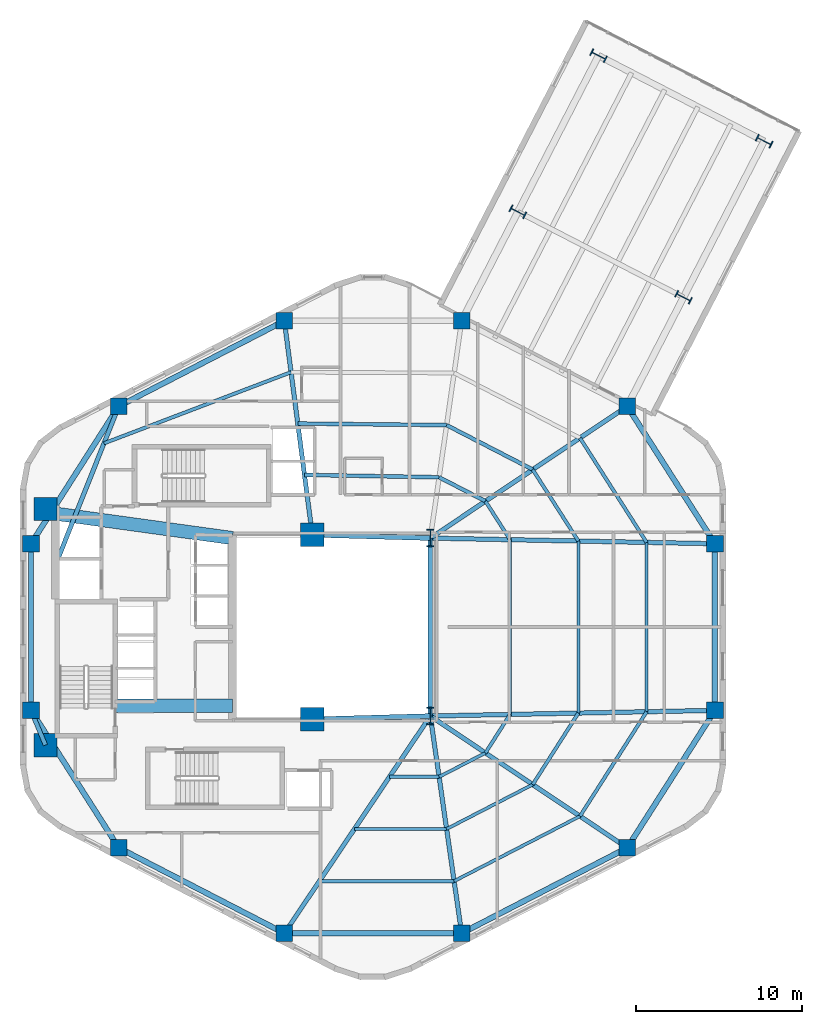
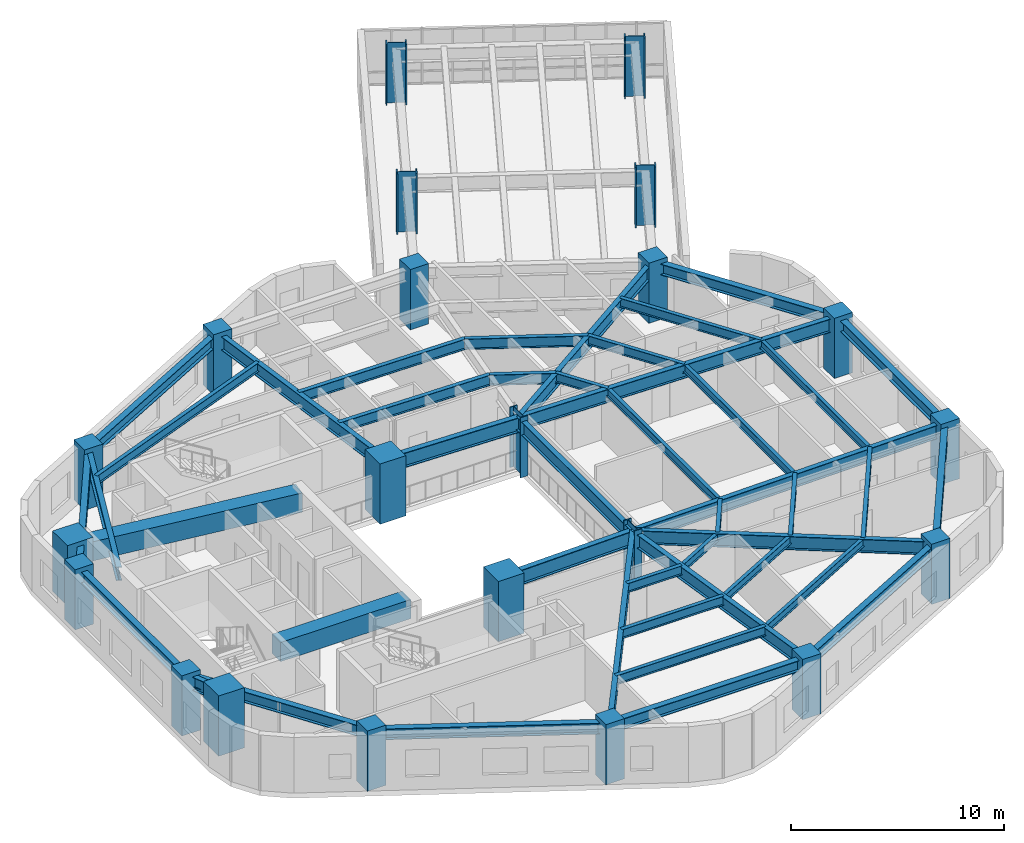
# One storey, part 1 of 11: 44 beams, 22 columns.
"""IFC4 building model written with IfcOpenShell, lengths in metres."""

import ifcopenshell
import ifcopenshell.guid

model = None  # the IFC model being written
_history = None  # IfcOwnerHistory: only IFC2X3 demands one
_inside = {}  # id of a spatial element -> (the spatial element, [elements in it])
_under = {}  # id of a project, library or spatial element -> (it, [spatial elements below it])
_declared = {}  # id of a project -> (the project, [libraries it declares])
_typed = {}  # id of a type object -> (the type object, [elements of that type])
_made_of = {}  # id of a material, layer set ... -> (it, [elements and type objects made of it])


def new_model(schema):
    """Start an empty IFC model of exactly this schema.

    Asked for "IFC4X3", IfcOpenShell would pick the latest addendum, in which some entities
    have other attributes; the version numbers below select the first issue.
    IFC2X3 requires an IfcOwnerHistory on every rooted entity: one is made here for all.
    """
    global model, _history
    if schema == "IFC4X3":
        model = ifcopenshell.file(schema_version=(4, 3, 0, 0))
    else:
        model = ifcopenshell.file(schema=schema)
    _inside.clear()
    _under.clear()
    _declared.clear()
    _typed.clear()
    _made_of.clear()
    _history = None
    if model.schema == "IFC2X3":
        org = make("IfcOrganization", Name="unknown")
        user = make(
            "IfcPersonAndOrganization",
            ThePerson=make("IfcPerson", FamilyName="unknown"),
            TheOrganization=org,
        )
        app = make(
            "IfcApplication",
            ApplicationDeveloper=org,
            Version="unknown",
            ApplicationFullName="unknown",
            ApplicationIdentifier="unknown",
        )
        _history = make(
            "IfcOwnerHistory",
            OwningUser=user,
            OwningApplication=app,
            ChangeAction="ADDED",
            CreationDate=0,
        )
    return model


def make(cls, **values):
    """One entity of the class cls with the attributes given. An attribute that is None is left unset."""
    return model.create_entity(
        cls, **{name: value for name, value in values.items() if value is not None}
    )


def rooted(cls, **values):
    """An entity with a GlobalId (a new one), such as an element, a storey or a relation."""
    return make(cls, GlobalId=ifcopenshell.guid.new(), OwnerHistory=_history, **values)


def si_unit(unit_type, name, prefix=None):
    """IfcSIUnit, for example si_unit("LENGTHUNIT", "METRE", prefix="MILLI")."""
    return make("IfcSIUnit", UnitType=unit_type, Prefix=prefix, Name=name)


def assignment(units):
    """IfcUnitAssignment: the units of a project."""
    return None if units is None else make("IfcUnitAssignment", Units=units)


def point(xyz):
    """IfcCartesianPoint."""
    return None if xyz is None else make("IfcCartesianPoint", Coordinates=xyz)


def direction(xyz):
    """IfcDirection."""
    return None if xyz is None else make("IfcDirection", DirectionRatios=xyz)


def frame(location, z_axis=None, x_axis=None):
    """IfcAxis2Placement3D, a coordinate frame: its origin and axes. An axis left out is left unset."""
    return make(
        "IfcAxis2Placement3D",
        Location=point(location),
        Axis=direction(z_axis),
        RefDirection=direction(x_axis),
    )


def frame_2d(location, x_axis=None):
    """IfcAxis2Placement2D, a coordinate frame in the plane: its origin and x axis."""
    return make(
        "IfcAxis2Placement2D", Location=point(location), RefDirection=direction(x_axis)
    )


def origin():
    """The frame at (0, 0, 0) with its axes left unset."""
    return frame((0.0, 0.0, 0.0))


def origin_2d():
    """The frame at (0, 0) in the plane with its x axis left unset."""
    return frame_2d((0.0, 0.0))


def place(relative_to, where):
    """IfcLocalPlacement: puts the frame where relative to a parent placement (None: the world)."""
    return make(
        "IfcLocalPlacement", PlacementRelTo=relative_to, RelativePlacement=where
    )


def context(
    kind, dimensions, precision=None, world=None, true_north=None, identifier=None
):
    """IfcGeometricRepresentationContext, for example the 3D "Model" context."""
    return make(
        "IfcGeometricRepresentationContext",
        ContextIdentifier=identifier,
        ContextType=kind,
        CoordinateSpaceDimension=dimensions,
        Precision=precision,
        WorldCoordinateSystem=world,
        TrueNorth=true_north,
    )


def subcontext(parent, identifier, kind, view, scale=None):
    """IfcGeometricRepresentationSubContext, for example "Body" below "Model"."""
    return make(
        "IfcGeometricRepresentationSubContext",
        ContextIdentifier=identifier,
        ContextType=kind,
        ParentContext=parent,
        TargetScale=scale,
        TargetView=view,
    )


def project(units=None, contexts=None):
    """IfcProject with its units and contexts."""
    return rooted(
        "IfcProject",
        Name="project",
        RepresentationContexts=contexts,
        UnitsInContext=assignment(units),
    )


def spatial(cls, under=None, at=None, **own):
    """A site, building, storey or space (cls), placed at a placement, below another one or the project."""
    s = rooted(cls, ObjectPlacement=at, **own)
    if under is not None:
        _under.setdefault(under.id(), (under, []))[1].append(s)
    return s


def profile(cls, at=None, kind="AREA", **sizes):
    """A parametric profile (cls). Its sizes go by their IFC names, for example OverallWidth=200.0."""
    return make(cls, ProfileType=kind, Position=at, **sizes)


def rectangle(**sizes):
    """IfcRectangleProfileDef."""
    return profile("IfcRectangleProfileDef", **sizes)


def i_section(**sizes):
    """IfcIShapeProfileDef."""
    return profile("IfcIShapeProfileDef", **sizes)


def extrude(swept, where, along, depth):
    """IfcExtrudedAreaSolid: the profile swept, set in the frame where, extruded along a direction by depth."""
    return make(
        "IfcExtrudedAreaSolid",
        SweptArea=swept,
        Position=where,
        ExtrudedDirection=direction(along),
        Depth=depth,
    )


def shape(context_of_items, identifier, shape_type, items):
    """IfcShapeRepresentation: the items that make up one representation, for example the "Body"."""
    return make(
        "IfcShapeRepresentation",
        ContextOfItems=context_of_items,
        RepresentationIdentifier=identifier,
        RepresentationType=shape_type,
        Items=items,
    )


def material(Name=None, Category=None):
    """IfcMaterial."""
    return make("IfcMaterial", Name=Name, Category=Category)


def material_profile(
    of_material, cross_section, Name=None, Category=None, Priority=None
):
    """IfcMaterialProfile: a cross section and its material."""
    return make(
        "IfcMaterialProfile",
        Name=Name,
        Material=of_material,
        Profile=cross_section,
        Priority=Priority,
        Category=Category,
    )


def profile_set(profiles, Name=None, composite=None):
    """IfcMaterialProfileSet."""
    return make(
        "IfcMaterialProfileSet",
        Name=Name,
        MaterialProfiles=profiles,
        CompositeProfile=composite,
    )


def made_of(thing, what):
    """Note that an element or type object is made of a material, layer set ...; save() writes the relation."""
    if what is not None:
        _made_of.setdefault(what.id(), (what, []))[1].append(thing)
    return thing


def type_object(cls, material=None, **own):
    """A type object (cls), such as IfcWallType, which elements share."""
    return made_of(rooted(cls, **own), material)


def element(
    cls,
    number,
    at=None,
    inside=None,
    cuts=None,
    type_object=None,
    material=None,
    context=None,
    identifier="Body",
    shape_type=None,
    held_by="IfcProductDefinitionShape",
    body=None,
    shapes=None,
    **own,
):
    """One element of the class cls, such as IfcWall. Its Tag is "e" and its number.

    at: its placement. inside: the storey or other place that contains it. cuts: it is an
    opening in that element (IfcRelVoidsElement). A single representation is given by context,
    identifier, shape_type and body (its items); several are given by shapes. held_by: the class
    of the entity that holds the representations. save() writes the other relations.
    """
    e = rooted(cls, Tag="e%d" % number, ObjectPlacement=at, **own)
    if body is not None:
        shapes = [shape(context, identifier, shape_type, body)]
    if shapes is not None:
        e.Representation = make(held_by, Representations=shapes)
    if inside is not None:
        _inside.setdefault(inside.id(), (inside, []))[1].append(e)
    if cuts is not None:
        rooted(
            "IfcRelVoidsElement", RelatingBuildingElement=cuts, RelatedOpeningElement=e
        )
    if type_object is not None:
        _typed.setdefault(type_object.id(), (type_object, []))[1].append(e)
    return made_of(e, material)


def aggregate(whole, parts):
    """IfcRelAggregates: a whole, such as a stair, and the parts it consists of."""
    return rooted("IfcRelAggregates", RelatingObject=whole, RelatedObjects=parts)


def save(model, path):
    """Write the relations noted so far, then the file.

    IfcRelAggregates (storeys below a building ...), IfcRelContainedInSpatialStructure (elements
    in a storey), IfcRelDefinesByType, IfcRelAssociatesMaterial and IfcRelDeclares: one each for
    every whole, place, type object, material and project.
    """
    for whole, parts in _under.values():
        aggregate(whole, parts)
    for where, things in _inside.values():
        rooted(
            "IfcRelContainedInSpatialStructure",
            RelatedElements=things,
            RelatingStructure=where,
        )
    for kind, things in _typed.values():
        rooted("IfcRelDefinesByType", RelatedObjects=things, RelatingType=kind)
    for what, things in _made_of.values():
        rooted("IfcRelAssociatesMaterial", RelatedObjects=things, RelatingMaterial=what)
    for by, libraries in _declared.values():
        rooted("IfcRelDeclares", RelatingContext=by, RelatedDefinitions=libraries)
    model.write(path)


model = new_model("IFC4")

# Units and contexts
model_context = context("Model", 3, precision=1e-05, world=origin(), true_north=direction((0.0, 1.0)))
body_context = subcontext(model_context, "Body", "Model", "MODEL_VIEW")
ifc_project = project(units=[si_unit("LENGTHUNIT", "METRE"), si_unit("AREAUNIT", "SQUARE_METRE"), si_unit("VOLUMEUNIT", "CUBIC_METRE"), si_unit("PLANEANGLEUNIT", "RADIAN"), si_unit("MASSUNIT", "GRAM", prefix="KILO"), si_unit("THERMODYNAMICTEMPERATUREUNIT", "KELVIN"), si_unit("POWERUNIT", "WATT")], contexts=[model_context])

# Site, building, storey
site_placement = place(None, origin())
site = spatial("IfcSite", under=ifc_project, at=site_placement, CompositionType="ELEMENT")
building_placement = place(site_placement, origin())
building = spatial("IfcBuilding", under=site, at=building_placement, Name="Skarre Station Tower", CompositionType="ELEMENT")
storey_placement = place(building_placement, frame((0.0, 0.0, 118.800048828125)))
storey = spatial("IfcBuildingStorey", under=building, at=storey_placement, Name="L31", CompositionType="ELEMENT", Elevation=118.800048828125)

# Columns
ifc_material_1 = material(Name="Concrete C60/75", Category="concrete")
ifc_material_profile_1 = material_profile(ifc_material_1, rectangle(XDim=1.0, YDim=1.0, at=origin_2d()), Name="Concrete C60/75")
ifc_profile_set_1 = profile_set([ifc_material_profile_1], Name="Concrete C60/75")
column_type_1 = type_object("IfcColumnType", Name="RC Structural Column RC-COL-1000X1000", PredefinedType="COLUMN", material=ifc_profile_set_1)
for number, where, z_axis, x_axis, name in (
    (1, (51.291015625, 37.277099609375, 0.0), (0.0, 0.0, 1.0), (1.0, 0.0, 0.0), "L31 Zone 2 Perimeter Column F0C1"),
    (2, (41.3310546875, 42.41796875, 0.0), (0.0, 0.0, 1.0), (1.0, 0.0, 0.0), "L31 Zone 2 Perimeter Column F0C2"),
    (3, (30.6689453125, 42.41796875, 0.0), (0.0, 0.0, 1.0), (1.0, 0.0, 0.0), "L31 Zone 2 Perimeter Column F1C1"),
    (4, (20.708984375, 37.277099609375, 0.0), (0.0, 0.0, 1.0), (1.0, 0.0, 0.0), "L31 Zone 2 Perimeter Column F1C2"),
    (5, (15.431884765625, 29.010986328125, 0.0), (0.0, 0.0, 1.0), (1.0, 0.0, 0.0), "L31 Zone 2 Perimeter Column F2C1"),
    (6, (15.431884765625, 18.989013671875, 0.0), (0.0, 0.0, 1.0), (1.0, 0.0, 0.0), "L31 Zone 2 Perimeter Column F2C2"),
    (7, (20.708984375, 10.722900390625, 0.0), (0.0, 0.0, 1.0), (1.0, 0.0, 0.0), "L31 Zone 2 Perimeter Column F3C1"),
    (8, (30.6689453125, 5.58203125, 0.0), (0.0, 0.0, 1.0), (1.0, 0.0, 0.0), "L31 Zone 2 Perimeter Column F3C2"),
    (9, (41.3310546875, 5.58203125, 0.0), (0.0, 0.0, 1.0), (1.0, 0.0, 0.0), "L31 Zone 2 Perimeter Column F4C1"),
    (10, (51.291015625, 10.722900390625, 0.0), (0.0, 0.0, 1.0), (1.0, 0.0, 0.0), "L31 Zone 2 Perimeter Column F4C2"),
    (11, (56.568115234375, 18.989013671875, 0.0), (0.0, 0.0, 1.0), (1.0, 0.0, 0.0), "L31 Zone 2 Perimeter Column F5C1"),
    (12, (56.568115234375, 29.010986328125, 0.0), (0.0, 0.0, 1.0), (1.0, 0.0, 0.0), "L31 Zone 2 Perimeter Column F5C2"),
):
    element("IfcColumn", number, at=place(storey_placement, frame(where, z_axis=z_axis, x_axis=x_axis)), inside=storey, type_object=column_type_1, Name=name, PredefinedType="COLUMN", context=body_context, shape_type="SweptSolid", body=[
        extrude(rectangle(XDim=1.0, YDim=1.0, at=origin_2d()), origin(), (0.0, 0.0, 1.0), 3.449951171875),
    ])
ifc_material_2 = material(Name="Concrete C70/85", Category="concrete")
ifc_material_profile_2 = material_profile(ifc_material_2, rectangle(XDim=1.39990234375, YDim=1.39990234375, at=origin_2d()), Name="Concrete C70/85")
ifc_profile_set_2 = profile_set([ifc_material_profile_2], Name="Concrete C70/85")
column_type_2 = type_object("IfcColumnType", Name="RC Structural Column RC-COL-1400X1400", PredefinedType="COLUMN", material=ifc_profile_set_2)
for number, where, z_axis, x_axis, name in (
    (13, (16.300048828125, 16.89990234375, 0.0), (0.0, 0.0, 1.0), (1.0, 0.0, 0.0), "L31 Core Column CC-SW"),
    (14, (16.300048828125, 31.10009765625, 0.0), (0.0, 0.0, 1.0), (1.0, 0.0, 0.0), "L31 Core Column CC-NW"),
    (15, (32.35009765625, 18.449951171875, 0.0), (0.0, 0.0, 1.0), (1.0, 0.0, 0.0), "L31 Core Column CC-SE"),
    (16, (32.35009765625, 29.550048828125, 0.0), (0.0, 0.0, 1.0), (1.0, 0.0, 0.0), "L31 Core Column CC-NE"),
):
    element("IfcColumn", number, at=place(storey_placement, frame(where, z_axis=z_axis, x_axis=x_axis)), inside=storey, type_object=column_type_2, Name=name, PredefinedType="COLUMN", context=body_context, shape_type="SweptSolid", body=[
        extrude(rectangle(XDim=1.39990234375, YDim=1.39990234375, at=origin_2d()), origin(), (0.0, 0.0, 1.0), 3.449951171875),
    ])
ifc_material_3 = material(Name="Steel ASTM A913 Grade 65", Category="steel")
ifc_material_profile_3 = material_profile(ifc_material_3, i_section(OverallWidth=0.430908203125, OverallDepth=0.987060546875, WebThickness=0.033935546875, FlangeThickness=0.06201171875, at=origin_2d()), Name="Steel ASTM A913 Grade 65")
ifc_profile_set_3 = profile_set([ifc_material_profile_3], Name="Steel ASTM A913 Grade 65")
column_type_3 = type_object("IfcColumnType", Name="Steel Column W36X441", PredefinedType="COLUMN", material=ifc_profile_set_3)
for number, where, z_axis, x_axis, name in (
    (17, (54.676025390625, 43.8349609375, 0.0), (0.0, 0.0, 1.0), (0.458649554484, 0.888617232655, 0.0), "L31 SB-2 Sky-Bar Frame Column M1"),
    (18, (44.716064453125, 48.97607421875, 0.0), (0.0, 0.0, 1.0), (0.458649554484, 0.888617232655, 0.0), "L31 SB-2 Sky-Bar Frame Column M2"),
    (19, (59.52392578125, 53.22705078125, 0.0), (0.0, 0.0, 1.0), (0.458649554484, 0.888617232655, 0.0), "L31 SB-2 Sky-Bar Frame Column T1"),
    (20, (49.56396484375, 58.367919921875, 0.0), (0.0, 0.0, 1.0), (0.458649554484, 0.888617232655, 0.0), "L31 SB-2 Sky-Bar Frame Column T2"),
):
    element("IfcColumn", number, at=place(storey_placement, frame(where, z_axis=z_axis, x_axis=x_axis)), inside=storey, type_object=column_type_3, Name=name, PredefinedType="COLUMN", context=body_context, shape_type="SweptSolid", body=[
        extrude(i_section(OverallWidth=0.430908203125, OverallDepth=0.987060546875, WebThickness=0.033935546875, FlangeThickness=0.06201171875, at=origin_2d()), origin(), (0.0, 0.0, 1.0), 3.449951171875),
    ])
ifc_material_profile_4 = material_profile(ifc_material_3, i_section(OverallWidth=0.409912109375, OverallDepth=1.041015625, WebThickness=0.031005859375, FlangeThickness=0.055908203125, at=origin_2d()), Name="Steel ASTM A913 Grade 65")
ifc_profile_set_4 = profile_set([ifc_material_profile_4], Name="Steel ASTM A913 Grade 65")
column_type_4 = type_object("IfcColumnType", Name="Steel Column W40X397", PredefinedType="COLUMN", material=ifc_profile_set_4)
for number, where, z_axis, x_axis, name in (
    (21, (39.449951171875, 18.64990234375, 0.0), (0.0, 0.0, 1.0), (1.0, 0.0, 0.0), "L31 Atrium Spine Column AC-SE"),
    (22, (39.449951171875, 29.35009765625, 0.0), (0.0, 0.0, 1.0), (1.0, 0.0, 0.0), "L31 Atrium Spine Column AC-NE"),
):
    element("IfcColumn", number, at=place(storey_placement, frame(where, z_axis=z_axis, x_axis=x_axis)), inside=storey, type_object=column_type_4, Name=name, PredefinedType="COLUMN", context=body_context, shape_type="SweptSolid", body=[
        extrude(i_section(OverallWidth=0.409912109375, OverallDepth=1.041015625, WebThickness=0.031005859375, FlangeThickness=0.055908203125, at=origin_2d()), origin(), (0.0, 0.0, 1.0), 3.449951171875),
    ])

# Beams
ifc_material_profile_5 = material_profile(ifc_material_2, rectangle(XDim=0.800048828125, YDim=1.10009765625, at=origin_2d()), Name="Concrete C70/85")
ifc_profile_set_5 = profile_set([ifc_material_profile_5], Name="Concrete C70/85")
beam_type_1 = type_object("IfcBeamType", Name="RC Core Coupling Lintel 800x1100", PredefinedType="LINTEL", material=ifc_profile_set_5)
beam_1_placement = place(storey_placement, frame((20.489990234375, 19.260009765625, 2.639892578125), z_axis=(1.0, 0.0, 0.0), x_axis=(0.0, 1.0, 0.0)))
element("IfcBeam", 23, at=beam_1_placement, inside=storey, type_object=beam_type_1, Name="L31 South Core Coupling Lintel", PredefinedType="LINTEL", context=body_context, shape_type="SweptSolid", body=[
    extrude(rectangle(XDim=0.800048828125, YDim=1.10009765625, at=origin_2d()), origin(), (0.0, 0.0, 1.0), 7.06005859375),
])
beam_2_placement = place(storey_placement, frame((17.050048828125, 30.800048828125, 2.639892578125), z_axis=(0.990599723633, -0.136792498109, 0.0), x_axis=(0.136792498109, 0.990599723633, 0.0)))
element("IfcBeam", 24, at=beam_2_placement, inside=storey, type_object=beam_type_1, Name="L31 North Core Coupling Lintel", PredefinedType="LINTEL", context=body_context, shape_type="SweptSolid", body=[
    extrude(rectangle(XDim=0.800048828125, YDim=1.10009765625, at=origin_2d()), origin(), (0.0, 0.0, 1.0), 10.599609375),
])
ifc_material_4 = material(Name="Steel ASTM A992 Grade 50", Category="steel")
ifc_material_profile_6 = material_profile(ifc_material_4, i_section(OverallWidth=0.26806640625, OverallDepth=0.77001953125, WebThickness=0.01611328125, FlangeThickness=0.02490234375, at=origin_2d()), Name="Steel ASTM A992 Grade 50")
ifc_profile_set_6 = profile_set([ifc_material_profile_6], Name="Steel ASTM A992 Grade 50")
beam_type_2 = type_object("IfcBeamType", Name="Steel Beam W30X132", PredefinedType="BEAM", material=ifc_profile_set_6)
beam_3_placement = place(storey_placement, frame((39.449951171875, 18.64990234375, 2.804931640625), z_axis=(0.0, 1.0, 0.0), x_axis=(-1.0, 0.0, 0.0)))
element("IfcBeam", 25, at=beam_3_placement, inside=storey, type_object=beam_type_2, Name="L31 Atrium East Edge Girder", PredefinedType="BEAM", context=body_context, shape_type="SweptSolid", body=[
    extrude(i_section(OverallWidth=0.26806640625, OverallDepth=0.77001953125, WebThickness=0.01611328125, FlangeThickness=0.02490234375, at=origin_2d()), origin(), (0.0, 0.0, 1.0), 10.7001953125),
])
beam_4_placement = place(storey_placement, frame((39.449951171875, 29.35009765625, 2.804931640625), z_axis=(0.830981218317, 0.556300471692, 0.0), x_axis=(-0.556300471692, 0.830981218317, 0.0)))
element("IfcBeam", 26, at=beam_4_placement, inside=storey, type_object=beam_type_2, Name="L31 Radial Floor Girder F0C1", PredefinedType="BEAM", context=body_context, shape_type="SweptSolid", body=[
    extrude(i_section(OverallWidth=0.26806640625, OverallDepth=0.77001953125, WebThickness=0.01611328125, FlangeThickness=0.02490234375, at=origin_2d()), origin(), (0.0, 0.0, 1.0), 14.24951171875),
])
beam_5_placement = place(storey_placement, frame((32.35009765625, 29.550048828125, 2.804931640625), z_axis=(-0.129545878778, 0.991573429097, 0.0), x_axis=(-0.991573429097, -0.129545878778, 0.0)))
element("IfcBeam", 27, at=beam_5_placement, inside=storey, type_object=beam_type_2, Name="L31 Radial Floor Girder F1C1", PredefinedType="BEAM", context=body_context, shape_type="SweptSolid", body=[
    extrude(i_section(OverallWidth=0.26806640625, OverallDepth=0.77001953125, WebThickness=0.01611328125, FlangeThickness=0.02490234375, at=origin_2d()), origin(), (0.0, 0.0, 1.0), 12.977294921875),
])
beam_6_placement = place(storey_placement, frame((17.010009765625, 28.0, 2.804931640625), z_axis=(0.370366288946, 0.928885790618, 0.0), x_axis=(-0.928885790618, 0.370366288946, 0.0)))
element("IfcBeam", 28, at=beam_6_placement, inside=storey, type_object=beam_type_2, Name="L31 Radial Floor Girder F1C2", PredefinedType="BEAM", context=body_context, shape_type="SweptSolid", body=[
    extrude(i_section(OverallWidth=0.26806640625, OverallDepth=0.77001953125, WebThickness=0.01611328125, FlangeThickness=0.02490234375, at=origin_2d()), origin(), (0.0, 0.0, 1.0), 9.9873046875),
])
beam_7_placement = place(storey_placement, frame((16.300048828125, 16.89990234375, 2.804931640625), z_axis=(-0.383749333092, 0.923437301256, 0.0), x_axis=(-0.923437301256, -0.383749333092, 0.0)))
element("IfcBeam", 29, at=beam_7_placement, inside=storey, type_object=beam_type_2, Name="L31 Radial Floor Girder F2C2", PredefinedType="BEAM", context=body_context, shape_type="SweptSolid", body=[
    extrude(i_section(OverallWidth=0.26806640625, OverallDepth=0.77001953125, WebThickness=0.01611328125, FlangeThickness=0.02490234375, at=origin_2d()), origin(), (0.0, 0.0, 1.0), 2.26220703125),
])
beam_8_placement = place(storey_placement, frame((39.449951171875, 18.64990234375, 2.804931640625), z_axis=(-0.55773464691, -0.830019315219, 0.0), x_axis=(0.830019315219, -0.55773464691, 0.0)))
element("IfcBeam", 30, at=beam_8_placement, inside=storey, type_object=beam_type_2, Name="L31 Radial Floor Girder F3C2", PredefinedType="BEAM", context=body_context, shape_type="SweptSolid", body=[
    extrude(i_section(OverallWidth=0.26806640625, OverallDepth=0.77001953125, WebThickness=0.01611328125, FlangeThickness=0.02490234375, at=origin_2d()), origin(), (0.0, 0.0, 1.0), 15.744140625),
])
beam_9_placement = place(storey_placement, frame((39.449951171875, 18.64990234375, 2.804931640625), z_axis=(0.142480121776, -0.989797663616, 0.0), x_axis=(0.989797663616, 0.142480121776, 0.0)))
element("IfcBeam", 31, at=beam_9_placement, inside=storey, type_object=beam_type_2, Name="L31 Radial Floor Girder F4C1", PredefinedType="BEAM", context=body_context, shape_type="SweptSolid", body=[
    extrude(i_section(OverallWidth=0.26806640625, OverallDepth=0.77001953125, WebThickness=0.01611328125, FlangeThickness=0.02490234375, at=origin_2d()), origin(), (0.0, 0.0, 1.0), 13.20263671875),
])
beam_10_placement = place(storey_placement, frame((39.449951171875, 18.64990234375, 2.804931640625), z_axis=(0.830981218317, -0.556300471692, 0.0), x_axis=(0.556300471692, 0.830981218317, 0.0)))
element("IfcBeam", 32, at=beam_10_placement, inside=storey, type_object=beam_type_2, Name="L31 Radial Floor Girder F4C2", PredefinedType="BEAM", context=body_context, shape_type="SweptSolid", body=[
    extrude(i_section(OverallWidth=0.26806640625, OverallDepth=0.77001953125, WebThickness=0.01611328125, FlangeThickness=0.02490234375, at=origin_2d()), origin(), (0.0, 0.0, 1.0), 14.24951171875),
])
for number, where, z_axis, x_axis, name in (
    (33, (39.449951171875, 18.64990234375, 2.804931640625), (0.999803839107, 0.019806143142, 0.0), (-0.019806143142, 0.999803839107, 0.0), "L31 Radial Floor Girder F5C1"),
    (34, (39.449951171875, 29.35009765625, 2.804931640625), (0.999803839107, -0.019806143142, 0.0), (0.019806143142, 0.999803839107, 0.0), "L31 Radial Floor Girder F5C2"),
):
    element("IfcBeam", number, at=place(storey_placement, frame(where, z_axis=z_axis, x_axis=x_axis)), inside=storey, type_object=beam_type_2, Name=name, PredefinedType="BEAM", context=body_context, shape_type="SweptSolid", body=[
        extrude(i_section(OverallWidth=0.26806640625, OverallDepth=0.77001953125, WebThickness=0.01611328125, FlangeThickness=0.02490234375, at=origin_2d()), origin(), (0.0, 0.0, 1.0), 17.12158203125),
    ])
ifc_material_profile_7 = material_profile(ifc_material_4, i_section(OverallWidth=0.2919921875, OverallDepth=0.85888671875, WebThickness=0.01708984375, FlangeThickness=0.031005859375, at=origin_2d()), Name="Steel ASTM A992 Grade 50")
ifc_profile_set_7 = profile_set([ifc_material_profile_7], Name="Steel ASTM A992 Grade 50")
beam_type_3 = type_object("IfcBeamType", Name="Steel Beam W33X169", PredefinedType="BEAM", material=ifc_profile_set_7)
for number, where, z_axis, x_axis, name in (
    (35, (32.35009765625, 18.449951171875, 2.760009765625), (0.999603666405, 0.028151556095, 0.0), (-0.028151556095, 0.999603666405, 0.0), "L31 Atrium South Edge Girder"),
    (36, (32.35009765625, 29.550048828125, 2.760009765625), (0.999603666405, -0.028151556095, 0.0), (0.028151556095, 0.999603666405, 0.0), "L31 Atrium North Edge Girder"),
):
    element("IfcBeam", number, at=place(storey_placement, frame(where, z_axis=z_axis, x_axis=x_axis)), inside=storey, type_object=beam_type_3, Name=name, PredefinedType="BEAM", context=body_context, shape_type="SweptSolid", body=[
        extrude(i_section(OverallWidth=0.2919921875, OverallDepth=0.85888671875, WebThickness=0.01708984375, FlangeThickness=0.031005859375, at=origin_2d()), origin(), (0.0, 0.0, 1.0), 7.102783203125),
    ])
ifc_material_profile_8 = material_profile(ifc_material_4, i_section(OverallWidth=0.19091796875, OverallDepth=0.45703125, WebThickness=0.009033203125, FlangeThickness=0.013916015625, at=origin_2d()), Name="Steel ASTM A992 Grade 50")
ifc_profile_set_8 = profile_set([ifc_material_profile_8], Name="Steel ASTM A992 Grade 50")
beam_type_4 = type_object("IfcBeamType", Name="Steel Joist W18X50", PredefinedType="JOIST", material=ifc_profile_set_8)
beam_11_placement = place(storey_placement, frame((39.97705078125, 14.990966796875, 2.9609375), z_axis=(0.88861042596, 0.458662741975, 0.0), x_axis=(-0.458662741975, 0.88861042596, 0.0)))
element("IfcBeam", 37, at=beam_11_placement, inside=storey, type_object=beam_type_4, Name="L31 Auxiliary Composite Joist 13", PredefinedType="JOIST", context=body_context, shape_type="SweptSolid", body=[
    extrude(i_section(OverallWidth=0.19091796875, OverallDepth=0.45703125, WebThickness=0.009033203125, FlangeThickness=0.013916015625, at=origin_2d()), origin(), (0.0, 0.0, 1.0), 3.13720703125),
])
beam_12_placement = place(storey_placement, frame((40.427978515625, 11.85498046875, 2.9609375), z_axis=(0.888614598919, 0.458654657218, 0.0), x_axis=(-0.458654657218, 0.888614598919, 0.0)))
element("IfcBeam", 38, at=beam_12_placement, inside=storey, type_object=beam_type_4, Name="L31 Auxiliary Composite Joist 14", PredefinedType="JOIST", context=body_context, shape_type="SweptSolid", body=[
    extrude(i_section(OverallWidth=0.19091796875, OverallDepth=0.45703125, WebThickness=0.009033203125, FlangeThickness=0.013916015625, at=origin_2d()), origin(), (0.0, 0.0, 1.0), 5.828125),
])
beam_13_placement = place(storey_placement, frame((40.8798828125, 8.718017578125, 2.9609375), z_axis=(0.888603699553, 0.45867577344, 0.0), x_axis=(-0.45867577344, 0.888603699553, 0.0)))
element("IfcBeam", 39, at=beam_13_placement, inside=storey, type_object=beam_type_4, Name="L31 Auxiliary Composite Joist 15", PredefinedType="JOIST", context=body_context, shape_type="SweptSolid", body=[
    extrude(i_section(OverallWidth=0.19091796875, OverallDepth=0.45703125, WebThickness=0.009033203125, FlangeThickness=0.013916015625, at=origin_2d()), origin(), (0.0, 0.0, 1.0), 8.51806640625),
])
beam_14_placement = place(storey_placement, frame((44.242919921875, 18.7451171875, 2.9609375), z_axis=(0.0, 1.0, 0.0), x_axis=(-1.0, 0.0, 0.0)))
element("IfcBeam", 40, at=beam_14_placement, inside=storey, type_object=beam_type_4, Name="L31 Auxiliary Composite Joist 19", PredefinedType="JOIST", context=body_context, shape_type="SweptSolid", body=[
    extrude(i_section(OverallWidth=0.19091796875, OverallDepth=0.45703125, WebThickness=0.009033203125, FlangeThickness=0.013916015625, at=origin_2d()), origin(), (0.0, 0.0, 1.0), 10.509765625),
])
beam_15_placement = place(storey_placement, frame((48.35107421875, 18.825927734375, 2.9609375), z_axis=(0.0, 1.0, 0.0), x_axis=(-1.0, 0.0, 0.0)))
element("IfcBeam", 41, at=beam_15_placement, inside=storey, type_object=beam_type_4, Name="L31 Auxiliary Composite Joist 20", PredefinedType="JOIST", context=body_context, shape_type="SweptSolid", body=[
    extrude(i_section(OverallWidth=0.19091796875, OverallDepth=0.45703125, WebThickness=0.009033203125, FlangeThickness=0.013916015625, at=origin_2d()), origin(), (0.0, 0.0, 1.0), 10.34814453125),
])
beam_16_placement = place(storey_placement, frame((52.4599609375, 18.907958984375, 2.9609375), z_axis=(0.0, 1.0, 0.0), x_axis=(-1.0, 0.0, 0.0)))
element("IfcBeam", 42, at=beam_16_placement, inside=storey, type_object=beam_type_4, Name="L31 Auxiliary Composite Joist 21", PredefinedType="JOIST", context=body_context, shape_type="SweptSolid", body=[
    extrude(i_section(OverallWidth=0.19091796875, OverallDepth=0.45703125, WebThickness=0.009033203125, FlangeThickness=0.013916015625, at=origin_2d()), origin(), (0.0, 0.0, 1.0), 10.18408203125),
])
ifc_material_profile_9 = material_profile(ifc_material_4, i_section(OverallWidth=0.208984375, OverallDepth=0.532958984375, WebThickness=0.010009765625, FlangeThickness=0.01611328125, at=origin_2d()), Name="Steel ASTM A992 Grade 50")
ifc_profile_set_9 = profile_set([ifc_material_profile_9], Name="Steel ASTM A992 Grade 50")
beam_type_5 = type_object("IfcBeamType", Name="Steel Joist W21X62", PredefinedType="JOIST", material=ifc_profile_set_9)
beam_17_placement = place(storey_placement, frame((31.072021484375, 39.330078125, 2.924072265625), z_axis=(-0.934681982826, -0.355485008094, 0.0), x_axis=(0.355485008094, -0.934681982826, 0.0)))
element("IfcBeam", 43, at=beam_17_placement, inside=storey, type_object=beam_type_5, Name="L31 Auxiliary Composite Joist 9", PredefinedType="JOIST", context=body_context, shape_type="SweptSolid", body=[
    extrude(i_section(OverallWidth=0.208984375, OverallDepth=0.532958984375, WebThickness=0.010009765625, FlangeThickness=0.01611328125, at=origin_2d()), origin(), (0.0, 0.0, 1.0), 12.037109375),
])
beam_18_placement = place(storey_placement, frame((36.990966796875, 14.990966796875, 2.924072265625), z_axis=(1.0, 0.0, 0.0), x_axis=(0.0, 1.0, 0.0)))
element("IfcBeam", 44, at=beam_18_placement, inside=storey, type_object=beam_type_5, Name="L31 Auxiliary Composite Joist 10", PredefinedType="JOIST", context=body_context, shape_type="SweptSolid", body=[
    extrude(i_section(OverallWidth=0.208984375, OverallDepth=0.532958984375, WebThickness=0.010009765625, FlangeThickness=0.01611328125, at=origin_2d()), origin(), (0.0, 0.0, 1.0), 2.986083984375),
])
beam_19_placement = place(storey_placement, frame((34.884033203125, 11.85498046875, 2.924072265625), z_axis=(1.0, 0.0, 0.0), x_axis=(0.0, 1.0, 0.0)))
element("IfcBeam", 45, at=beam_19_placement, inside=storey, type_object=beam_type_5, Name="L31 Auxiliary Composite Joist 11", PredefinedType="JOIST", context=body_context, shape_type="SweptSolid", body=[
    extrude(i_section(OverallWidth=0.208984375, OverallDepth=0.532958984375, WebThickness=0.010009765625, FlangeThickness=0.01611328125, at=origin_2d()), origin(), (0.0, 0.0, 1.0), 5.5439453125),
])
beam_20_placement = place(storey_placement, frame((32.77587890625, 8.718017578125, 2.924072265625), z_axis=(1.0, 0.0, 0.0), x_axis=(0.0, 1.0, 0.0)))
element("IfcBeam", 46, at=beam_20_placement, inside=storey, type_object=beam_type_5, Name="L31 Auxiliary Composite Joist 12", PredefinedType="JOIST", context=body_context, shape_type="SweptSolid", body=[
    extrude(i_section(OverallWidth=0.208984375, OverallDepth=0.532958984375, WebThickness=0.010009765625, FlangeThickness=0.01611328125, at=origin_2d()), origin(), (0.0, 0.0, 1.0), 8.10400390625),
])
beam_21_placement = place(storey_placement, frame((42.764892578125, 16.429931640625, 2.924072265625), z_axis=(0.538099948257, 0.84288103887, 0.0), x_axis=(-0.84288103887, 0.538099948257, 0.0)))
element("IfcBeam", 47, at=beam_21_placement, inside=storey, type_object=beam_type_5, Name="L31 Auxiliary Composite Joist 16", PredefinedType="JOIST", context=body_context, shape_type="SweptSolid", body=[
    extrude(i_section(OverallWidth=0.208984375, OverallDepth=0.532958984375, WebThickness=0.010009765625, FlangeThickness=0.01611328125, at=origin_2d()), origin(), (0.0, 0.0, 1.0), 2.746826171875),
])
beam_22_placement = place(storey_placement, frame((45.60693359375, 14.528076171875, 2.924072265625), z_axis=(0.538151254938, 0.842848282201, 0.0), x_axis=(-0.842848282201, 0.538151254938, 0.0)))
element("IfcBeam", 48, at=beam_22_placement, inside=storey, type_object=beam_type_5, Name="L31 Auxiliary Composite Joist 17", PredefinedType="JOIST", context=body_context, shape_type="SweptSolid", body=[
    extrude(i_section(OverallWidth=0.208984375, OverallDepth=0.532958984375, WebThickness=0.010009765625, FlangeThickness=0.01611328125, at=origin_2d()), origin(), (0.0, 0.0, 1.0), 5.09912109375),
])
beam_23_placement = place(storey_placement, frame((48.448974609375, 12.625, 2.924072265625), z_axis=(0.53809140179, 0.842886494921, 0.0), x_axis=(-0.842886494921, 0.53809140179, 0.0)))
element("IfcBeam", 49, at=beam_23_placement, inside=storey, type_object=beam_type_5, Name="L31 Auxiliary Composite Joist 18", PredefinedType="JOIST", context=body_context, shape_type="SweptSolid", body=[
    extrude(i_section(OverallWidth=0.208984375, OverallDepth=0.532958984375, WebThickness=0.010009765625, FlangeThickness=0.01611328125, at=origin_2d()), origin(), (0.0, 0.0, 1.0), 7.4541015625),
])
beam_24_placement = place(storey_placement, frame((44.242919921875, 29.2548828125, 2.924072265625), z_axis=(-0.538099948257, 0.84288103887, 0.0), x_axis=(-0.84288103887, -0.538099948257, 0.0)))
element("IfcBeam", 50, at=beam_24_placement, inside=storey, type_object=beam_type_5, Name="L31 Auxiliary Composite Joist 22", PredefinedType="JOIST", context=body_context, shape_type="SweptSolid", body=[
    extrude(i_section(OverallWidth=0.208984375, OverallDepth=0.532958984375, WebThickness=0.010009765625, FlangeThickness=0.01611328125, at=origin_2d()), origin(), (0.0, 0.0, 1.0), 2.746826171875),
])
beam_25_placement = place(storey_placement, frame((48.35107421875, 29.174072265625, 2.924072265625), z_axis=(-0.538151254938, 0.842848282201, 0.0), x_axis=(-0.842848282201, -0.538151254938, 0.0)))
element("IfcBeam", 51, at=beam_25_placement, inside=storey, type_object=beam_type_5, Name="L31 Auxiliary Composite Joist 23", PredefinedType="JOIST", context=body_context, shape_type="SweptSolid", body=[
    extrude(i_section(OverallWidth=0.208984375, OverallDepth=0.532958984375, WebThickness=0.010009765625, FlangeThickness=0.01611328125, at=origin_2d()), origin(), (0.0, 0.0, 1.0), 5.09912109375),
])
beam_26_placement = place(storey_placement, frame((52.4599609375, 29.092041015625, 2.924072265625), z_axis=(-0.53809140179, 0.842886494921, 0.0), x_axis=(-0.842886494921, -0.53809140179, 0.0)))
element("IfcBeam", 52, at=beam_26_placement, inside=storey, type_object=beam_type_5, Name="L31 Auxiliary Composite Joist 24", PredefinedType="JOIST", context=body_context, shape_type="SweptSolid", body=[
    extrude(i_section(OverallWidth=0.208984375, OverallDepth=0.532958984375, WebThickness=0.010009765625, FlangeThickness=0.01611328125, at=origin_2d()), origin(), (0.0, 0.0, 1.0), 7.4541015625),
])
ifc_material_profile_10 = material_profile(ifc_material_4, i_section(OverallWidth=0.22802734375, OverallDepth=0.60791015625, WebThickness=0.010986328125, FlangeThickness=0.01708984375, at=origin_2d()), Name="Steel ASTM A992 Grade 50")
ifc_profile_set_10 = profile_set([ifc_material_profile_10], Name="Steel ASTM A992 Grade 50")
beam_type_6 = type_object("IfcBeamType", Name="Steel Joist W24X76", PredefinedType="JOIST", material=ifc_profile_set_10)
beam_27_placement = place(storey_placement, frame((42.764892578125, 31.570068359375, 2.885986328125), z_axis=(-0.88861042596, 0.458662741975, 0.0), x_axis=(-0.458662741975, -0.88861042596, 0.0)))
element("IfcBeam", 53, at=beam_27_placement, inside=storey, type_object=beam_type_6, Name="L31 Secondary Floor Joist 1", PredefinedType="JOIST", context=body_context, shape_type="SweptSolid", body=[
    extrude(i_section(OverallWidth=0.22802734375, OverallDepth=0.60791015625, WebThickness=0.010986328125, FlangeThickness=0.01708984375, at=origin_2d()), origin(), (0.0, 0.0, 1.0), 3.13720703125),
])
beam_28_placement = place(storey_placement, frame((45.60693359375, 33.471923828125, 2.885986328125), z_axis=(-0.888614598919, 0.458654657218, 0.0), x_axis=(-0.458654657218, -0.888614598919, 0.0)))
element("IfcBeam", 54, at=beam_28_placement, inside=storey, type_object=beam_type_6, Name="L31 Secondary Floor Joist 2", PredefinedType="JOIST", context=body_context, shape_type="SweptSolid", body=[
    extrude(i_section(OverallWidth=0.22802734375, OverallDepth=0.60791015625, WebThickness=0.010986328125, FlangeThickness=0.01708984375, at=origin_2d()), origin(), (0.0, 0.0, 1.0), 5.828125),
])
beam_29_placement = place(storey_placement, frame((39.97705078125, 33.009033203125, 2.885986328125), z_axis=(-0.999841846049, 0.01778434396, 0.0), x_axis=(-0.01778434396, -0.999841846049, 0.0)))
element("IfcBeam", 55, at=beam_29_placement, inside=storey, type_object=beam_type_6, Name="L31 Secondary Floor Joist 4", PredefinedType="JOIST", context=body_context, shape_type="SweptSolid", body=[
    extrude(i_section(OverallWidth=0.22802734375, OverallDepth=0.60791015625, WebThickness=0.010986328125, FlangeThickness=0.01708984375, at=origin_2d()), origin(), (0.0, 0.0, 1.0), 8.099365234375),
])
beam_30_placement = place(storey_placement, frame((40.427978515625, 36.14501953125, 2.885986328125), z_axis=(-0.999942566282, 0.010717468802, 0.0), x_axis=(-0.010717468802, -0.999942566282, 0.0)))
element("IfcBeam", 56, at=beam_30_placement, inside=storey, type_object=beam_type_6, Name="L31 Secondary Floor Joist 5", PredefinedType="JOIST", context=body_context, shape_type="SweptSolid", body=[
    extrude(i_section(OverallWidth=0.22802734375, OverallDepth=0.60791015625, WebThickness=0.010986328125, FlangeThickness=0.01708984375, at=origin_2d()), origin(), (0.0, 0.0, 1.0), 8.952392578125),
])
ifc_material_profile_11 = material_profile(ifc_material_4, i_section(OverallWidth=0.327880859375, OverallDepth=0.6279296875, WebThickness=0.01708984375, FlangeThickness=0.028076171875, at=origin_2d()), Name="Steel ASTM A992 Grade 50")
ifc_profile_set_11 = profile_set([ifc_material_profile_11], Name="Steel ASTM A992 Grade 50")
beam_type_7 = type_object("IfcBeamType", Name="Steel Spandrel W24X146", PredefinedType="SPANDREL", material=ifc_profile_set_11)
beam_31_placement = place(storey_placement, frame((30.6689453125, 42.41796875, 2.8759765625), z_axis=(-0.888611779493, -0.458660119639, 0.0), x_axis=(0.458660119639, -0.888611779493, 0.0)))
element("IfcBeam", 57, at=beam_31_placement, inside=storey, type_object=beam_type_7, Name="L31 Facet Spandrel Beam 3", PredefinedType="SPANDREL", context=body_context, shape_type="SweptSolid", body=[
    extrude(i_section(OverallWidth=0.327880859375, OverallDepth=0.6279296875, WebThickness=0.01708984375, FlangeThickness=0.028076171875, at=origin_2d()), origin(), (0.0, 0.0, 1.0), 11.20849609375),
])
beam_32_placement = place(storey_placement, frame((20.708984375, 37.277099609375, 2.8759765625), z_axis=(-0.538097547923, -0.842882571251, 0.0), x_axis=(0.842882571251, -0.538097547923, 0.0)))
element("IfcBeam", 58, at=beam_32_placement, inside=storey, type_object=beam_type_7, Name="L31 Facet Spandrel Beam 4", PredefinedType="SPANDREL", context=body_context, shape_type="SweptSolid", body=[
    extrude(i_section(OverallWidth=0.327880859375, OverallDepth=0.6279296875, WebThickness=0.01708984375, FlangeThickness=0.028076171875, at=origin_2d()), origin(), (0.0, 0.0, 1.0), 9.806884765625),
])
beam_33_placement = place(storey_placement, frame((15.431884765625, 29.010986328125, 2.8759765625), z_axis=(0.0, -1.0, 0.0), x_axis=(1.0, 0.0, 0.0)))
element("IfcBeam", 59, at=beam_33_placement, inside=storey, type_object=beam_type_7, Name="L31 Facet Spandrel Beam 5", PredefinedType="SPANDREL", context=body_context, shape_type="SweptSolid", body=[
    extrude(i_section(OverallWidth=0.327880859375, OverallDepth=0.6279296875, WebThickness=0.01708984375, FlangeThickness=0.028076171875, at=origin_2d()), origin(), (0.0, 0.0, 1.0), 10.02197265625),
])
beam_34_placement = place(storey_placement, frame((15.431884765625, 18.989013671875, 2.8759765625), z_axis=(0.538097547923, -0.842882571251, 0.0), x_axis=(0.842882571251, 0.538097547923, 0.0)))
element("IfcBeam", 60, at=beam_34_placement, inside=storey, type_object=beam_type_7, Name="L31 Facet Spandrel Beam 6", PredefinedType="SPANDREL", context=body_context, shape_type="SweptSolid", body=[
    extrude(i_section(OverallWidth=0.327880859375, OverallDepth=0.6279296875, WebThickness=0.01708984375, FlangeThickness=0.028076171875, at=origin_2d()), origin(), (0.0, 0.0, 1.0), 9.806884765625),
])
beam_35_placement = place(storey_placement, frame((20.708984375, 10.722900390625, 2.8759765625), z_axis=(0.888611779493, -0.458660119639, 0.0), x_axis=(0.458660119639, 0.888611779493, 0.0)))
element("IfcBeam", 61, at=beam_35_placement, inside=storey, type_object=beam_type_7, Name="L31 Facet Spandrel Beam 7", PredefinedType="SPANDREL", context=body_context, shape_type="SweptSolid", body=[
    extrude(i_section(OverallWidth=0.327880859375, OverallDepth=0.6279296875, WebThickness=0.01708984375, FlangeThickness=0.028076171875, at=origin_2d()), origin(), (0.0, 0.0, 1.0), 11.20849609375),
])
beam_36_placement = place(storey_placement, frame((30.6689453125, 5.58203125, 2.8759765625), z_axis=(1.0, 0.0, 0.0), x_axis=(0.0, 1.0, 0.0)))
element("IfcBeam", 62, at=beam_36_placement, inside=storey, type_object=beam_type_7, Name="L31 Facet Spandrel Beam 8", PredefinedType="SPANDREL", context=body_context, shape_type="SweptSolid", body=[
    extrude(i_section(OverallWidth=0.327880859375, OverallDepth=0.6279296875, WebThickness=0.01708984375, FlangeThickness=0.028076171875, at=origin_2d()), origin(), (0.0, 0.0, 1.0), 10.662109375),
])
beam_37_placement = place(storey_placement, frame((41.3310546875, 5.58203125, 2.8759765625), z_axis=(0.888611779493, 0.458660119639, 0.0), x_axis=(-0.458660119639, 0.888611779493, 0.0)))
element("IfcBeam", 63, at=beam_37_placement, inside=storey, type_object=beam_type_7, Name="L31 Facet Spandrel Beam 9", PredefinedType="SPANDREL", context=body_context, shape_type="SweptSolid", body=[
    extrude(i_section(OverallWidth=0.327880859375, OverallDepth=0.6279296875, WebThickness=0.01708984375, FlangeThickness=0.028076171875, at=origin_2d()), origin(), (0.0, 0.0, 1.0), 11.20849609375),
])
beam_38_placement = place(storey_placement, frame((51.291015625, 10.722900390625, 2.8759765625), z_axis=(0.538097547923, 0.842882571251, 0.0), x_axis=(-0.842882571251, 0.538097547923, 0.0)))
element("IfcBeam", 64, at=beam_38_placement, inside=storey, type_object=beam_type_7, Name="L31 Facet Spandrel Beam 10", PredefinedType="SPANDREL", context=body_context, shape_type="SweptSolid", body=[
    extrude(i_section(OverallWidth=0.327880859375, OverallDepth=0.6279296875, WebThickness=0.01708984375, FlangeThickness=0.028076171875, at=origin_2d()), origin(), (0.0, 0.0, 1.0), 9.806884765625),
])
beam_39_placement = place(storey_placement, frame((56.568115234375, 18.989013671875, 2.8759765625), z_axis=(0.0, 1.0, 0.0), x_axis=(-1.0, 0.0, 0.0)))
element("IfcBeam", 65, at=beam_39_placement, inside=storey, type_object=beam_type_7, Name="L31 Facet Spandrel Beam 11", PredefinedType="SPANDREL", context=body_context, shape_type="SweptSolid", body=[
    extrude(i_section(OverallWidth=0.327880859375, OverallDepth=0.6279296875, WebThickness=0.01708984375, FlangeThickness=0.028076171875, at=origin_2d()), origin(), (0.0, 0.0, 1.0), 10.02197265625),
])
beam_40_placement = place(storey_placement, frame((56.568115234375, 29.010986328125, 2.8759765625), z_axis=(-0.538097547923, 0.842882571251, 0.0), x_axis=(-0.842882571251, -0.538097547923, 0.0)))
element("IfcBeam", 66, at=beam_40_placement, inside=storey, type_object=beam_type_7, Name="L31 Facet Spandrel Beam 12", PredefinedType="SPANDREL", context=body_context, shape_type="SweptSolid", body=[
    extrude(i_section(OverallWidth=0.327880859375, OverallDepth=0.6279296875, WebThickness=0.01708984375, FlangeThickness=0.028076171875, at=origin_2d()), origin(), (0.0, 0.0, 1.0), 9.806884765625),
])

save(model, "model.ifc")
